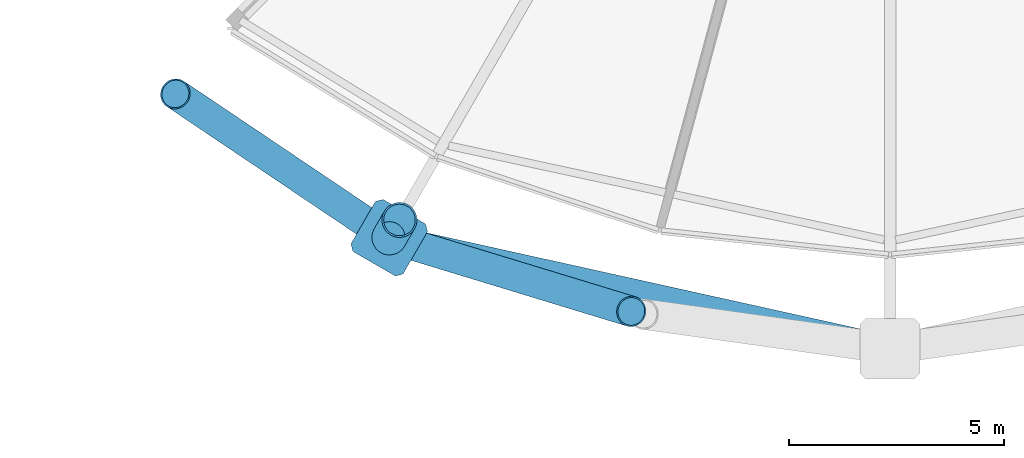
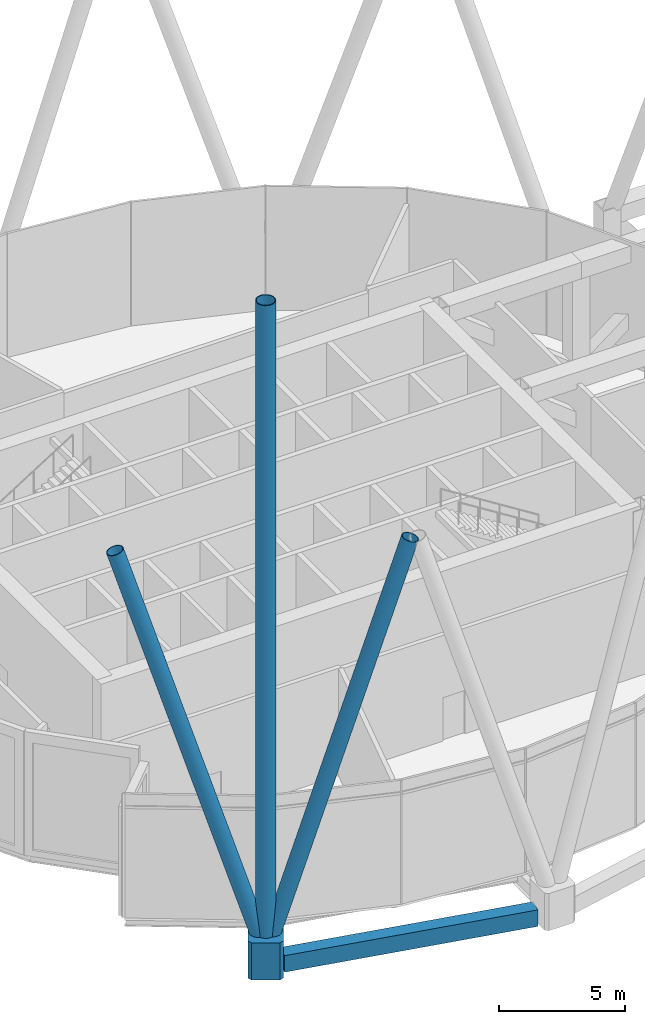
# One storey, part 3 of 39: 4 members, 1 beam.
"""IFC4 building model written with IfcOpenShell, lengths in metres."""

import ifcopenshell
import ifcopenshell.guid

model = None  # the IFC model being written
_history = None  # IfcOwnerHistory: only IFC2X3 demands one
_inside = {}  # id of a spatial element -> (the spatial element, [elements in it])
_under = {}  # id of a project, library or spatial element -> (it, [spatial elements below it])
_declared = {}  # id of a project -> (the project, [libraries it declares])
_typed = {}  # id of a type object -> (the type object, [elements of that type])
_made_of = {}  # id of a material, layer set ... -> (it, [elements and type objects made of it])


def new_model(schema):
    """Start an empty IFC model of exactly this schema.

    Asked for "IFC4X3", IfcOpenShell would pick the latest addendum, in which some entities
    have other attributes; the version numbers below select the first issue.
    IFC2X3 requires an IfcOwnerHistory on every rooted entity: one is made here for all.
    """
    global model, _history
    if schema == "IFC4X3":
        model = ifcopenshell.file(schema_version=(4, 3, 0, 0))
    else:
        model = ifcopenshell.file(schema=schema)
    _inside.clear()
    _under.clear()
    _declared.clear()
    _typed.clear()
    _made_of.clear()
    _history = None
    if model.schema == "IFC2X3":
        org = make("IfcOrganization", Name="unknown")
        user = make(
            "IfcPersonAndOrganization",
            ThePerson=make("IfcPerson", FamilyName="unknown"),
            TheOrganization=org,
        )
        app = make(
            "IfcApplication",
            ApplicationDeveloper=org,
            Version="unknown",
            ApplicationFullName="unknown",
            ApplicationIdentifier="unknown",
        )
        _history = make(
            "IfcOwnerHistory",
            OwningUser=user,
            OwningApplication=app,
            ChangeAction="ADDED",
            CreationDate=0,
        )
    return model


def make(cls, **values):
    """One entity of the class cls with the attributes given. An attribute that is None is left unset."""
    return model.create_entity(
        cls, **{name: value for name, value in values.items() if value is not None}
    )


def rooted(cls, **values):
    """An entity with a GlobalId (a new one), such as an element, a storey or a relation."""
    return make(cls, GlobalId=ifcopenshell.guid.new(), OwnerHistory=_history, **values)


def si_unit(unit_type, name, prefix=None):
    """IfcSIUnit, for example si_unit("LENGTHUNIT", "METRE", prefix="MILLI")."""
    return make("IfcSIUnit", UnitType=unit_type, Prefix=prefix, Name=name)


def assignment(units):
    """IfcUnitAssignment: the units of a project."""
    return None if units is None else make("IfcUnitAssignment", Units=units)


def point(xyz):
    """IfcCartesianPoint."""
    return None if xyz is None else make("IfcCartesianPoint", Coordinates=xyz)


def direction(xyz):
    """IfcDirection."""
    return None if xyz is None else make("IfcDirection", DirectionRatios=xyz)


def frame(location, z_axis=None, x_axis=None):
    """IfcAxis2Placement3D, a coordinate frame: its origin and axes. An axis left out is left unset."""
    return make(
        "IfcAxis2Placement3D",
        Location=point(location),
        Axis=direction(z_axis),
        RefDirection=direction(x_axis),
    )


def frame_2d(location, x_axis=None):
    """IfcAxis2Placement2D, a coordinate frame in the plane: its origin and x axis."""
    return make(
        "IfcAxis2Placement2D", Location=point(location), RefDirection=direction(x_axis)
    )


def origin():
    """The frame at (0, 0, 0) with its axes left unset."""
    return frame((0.0, 0.0, 0.0))


def origin_2d():
    """The frame at (0, 0) in the plane with its x axis left unset."""
    return frame_2d((0.0, 0.0))


def place(relative_to, where):
    """IfcLocalPlacement: puts the frame where relative to a parent placement (None: the world)."""
    return make(
        "IfcLocalPlacement", PlacementRelTo=relative_to, RelativePlacement=where
    )


def context(
    kind, dimensions, precision=None, world=None, true_north=None, identifier=None
):
    """IfcGeometricRepresentationContext, for example the 3D "Model" context."""
    return make(
        "IfcGeometricRepresentationContext",
        ContextIdentifier=identifier,
        ContextType=kind,
        CoordinateSpaceDimension=dimensions,
        Precision=precision,
        WorldCoordinateSystem=world,
        TrueNorth=true_north,
    )


def subcontext(parent, identifier, kind, view, scale=None):
    """IfcGeometricRepresentationSubContext, for example "Body" below "Model"."""
    return make(
        "IfcGeometricRepresentationSubContext",
        ContextIdentifier=identifier,
        ContextType=kind,
        ParentContext=parent,
        TargetScale=scale,
        TargetView=view,
    )


def project(units=None, contexts=None):
    """IfcProject with its units and contexts."""
    return rooted(
        "IfcProject",
        Name="project",
        RepresentationContexts=contexts,
        UnitsInContext=assignment(units),
    )


def spatial(cls, under=None, at=None, **own):
    """A site, building, storey or space (cls), placed at a placement, below another one or the project."""
    s = rooted(cls, ObjectPlacement=at, **own)
    if under is not None:
        _under.setdefault(under.id(), (under, []))[1].append(s)
    return s


def polyline(points):
    """IfcPolyline through the points."""
    return make("IfcPolyline", Points=[point(p) for p in points])


def profile(cls, at=None, kind="AREA", **sizes):
    """A parametric profile (cls). Its sizes go by their IFC names, for example OverallWidth=200.0."""
    return make(cls, ProfileType=kind, Position=at, **sizes)


def hollow_rectangle(**sizes):
    """IfcRectangleHollowProfileDef."""
    return profile("IfcRectangleHollowProfileDef", **sizes)


def hollow_circle(**sizes):
    """IfcCircleHollowProfileDef."""
    return profile("IfcCircleHollowProfileDef", **sizes)


def outline(outer, holes=None, kind="AREA"):
    """IfcArbitraryClosedProfileDef: a profile drawn as a closed curve; with holes, ...WithVoids."""
    if holes is None:
        return make("IfcArbitraryClosedProfileDef", ProfileType=kind, OuterCurve=outer)
    return make(
        "IfcArbitraryProfileDefWithVoids",
        ProfileType=kind,
        OuterCurve=outer,
        InnerCurves=holes,
    )


def extrude(swept, where, along, depth):
    """IfcExtrudedAreaSolid: the profile swept, set in the frame where, extruded along a direction by depth."""
    return make(
        "IfcExtrudedAreaSolid",
        SweptArea=swept,
        Position=where,
        ExtrudedDirection=direction(along),
        Depth=depth,
    )


def shape(context_of_items, identifier, shape_type, items):
    """IfcShapeRepresentation: the items that make up one representation, for example the "Body"."""
    return make(
        "IfcShapeRepresentation",
        ContextOfItems=context_of_items,
        RepresentationIdentifier=identifier,
        RepresentationType=shape_type,
        Items=items,
    )


def material(Name=None, Category=None):
    """IfcMaterial."""
    return make("IfcMaterial", Name=Name, Category=Category)


def material_profile(
    of_material, cross_section, Name=None, Category=None, Priority=None
):
    """IfcMaterialProfile: a cross section and its material."""
    return make(
        "IfcMaterialProfile",
        Name=Name,
        Material=of_material,
        Profile=cross_section,
        Priority=Priority,
        Category=Category,
    )


def profile_set(profiles, Name=None, composite=None):
    """IfcMaterialProfileSet."""
    return make(
        "IfcMaterialProfileSet",
        Name=Name,
        MaterialProfiles=profiles,
        CompositeProfile=composite,
    )


def made_of(thing, what):
    """Note that an element or type object is made of a material, layer set ...; save() writes the relation."""
    if what is not None:
        _made_of.setdefault(what.id(), (what, []))[1].append(thing)
    return thing


def type_object(cls, material=None, **own):
    """A type object (cls), such as IfcWallType, which elements share."""
    return made_of(rooted(cls, **own), material)


def element(
    cls,
    number,
    at=None,
    inside=None,
    cuts=None,
    type_object=None,
    material=None,
    context=None,
    identifier="Body",
    shape_type=None,
    held_by="IfcProductDefinitionShape",
    body=None,
    shapes=None,
    **own,
):
    """One element of the class cls, such as IfcWall. Its Tag is "e" and its number.

    at: its placement. inside: the storey or other place that contains it. cuts: it is an
    opening in that element (IfcRelVoidsElement). A single representation is given by context,
    identifier, shape_type and body (its items); several are given by shapes. held_by: the class
    of the entity that holds the representations. save() writes the other relations.
    """
    e = rooted(cls, Tag="e%d" % number, ObjectPlacement=at, **own)
    if body is not None:
        shapes = [shape(context, identifier, shape_type, body)]
    if shapes is not None:
        e.Representation = make(held_by, Representations=shapes)
    if inside is not None:
        _inside.setdefault(inside.id(), (inside, []))[1].append(e)
    if cuts is not None:
        rooted(
            "IfcRelVoidsElement", RelatingBuildingElement=cuts, RelatedOpeningElement=e
        )
    if type_object is not None:
        _typed.setdefault(type_object.id(), (type_object, []))[1].append(e)
    return made_of(e, material)


def aggregate(whole, parts):
    """IfcRelAggregates: a whole, such as a stair, and the parts it consists of."""
    return rooted("IfcRelAggregates", RelatingObject=whole, RelatedObjects=parts)


def save(model, path):
    """Write the relations noted so far, then the file.

    IfcRelAggregates (storeys below a building ...), IfcRelContainedInSpatialStructure (elements
    in a storey), IfcRelDefinesByType, IfcRelAssociatesMaterial and IfcRelDeclares: one each for
    every whole, place, type object, material and project.
    """
    for whole, parts in _under.values():
        aggregate(whole, parts)
    for where, things in _inside.values():
        rooted(
            "IfcRelContainedInSpatialStructure",
            RelatedElements=things,
            RelatingStructure=where,
        )
    for kind, things in _typed.values():
        rooted("IfcRelDefinesByType", RelatedObjects=things, RelatingType=kind)
    for what, things in _made_of.values():
        rooted("IfcRelAssociatesMaterial", RelatedObjects=things, RelatingMaterial=what)
    for by, libraries in _declared.values():
        rooted("IfcRelDeclares", RelatingContext=by, RelatedDefinitions=libraries)
    model.write(path)


model = new_model("IFC4")

# Units and contexts
model_context = context("Model", 3, precision=1e-05, world=origin(), true_north=direction((0.0, 1.0)))
body_context = subcontext(model_context, "Body", "Model", "MODEL_VIEW")
ifc_project = project(units=[si_unit("LENGTHUNIT", "METRE"), si_unit("AREAUNIT", "SQUARE_METRE"), si_unit("VOLUMEUNIT", "CUBIC_METRE"), si_unit("PLANEANGLEUNIT", "RADIAN"), si_unit("MASSUNIT", "GRAM", prefix="KILO")], contexts=[model_context])

# Site, building, storey
site_placement = place(None, origin())
site = spatial("IfcSite", under=ifc_project, at=site_placement, CompositionType="ELEMENT")
building_placement = place(site_placement, origin())
building = spatial("IfcBuilding", under=site, at=building_placement, Name="Rimbun Link Towers", CompositionType="ELEMENT")
storey_placement = place(building_placement, frame((0.0, 0.0, 127.199951171875)))
storey = spatial("IfcBuildingStorey", under=building, at=storey_placement, Name="L31", CompositionType="ELEMENT", Elevation=127.199951171875)

# Members
ifc_material_1 = material(Name="Steel S460NH", Category="steel")
ifc_material_profile_1 = material_profile(ifc_material_1, hollow_circle(Radius=0.355712890625, WallThickness=0.031982421875, at=origin_2d()), Name="Diagrid diagonal CHS 711x32")
ifc_profile_set_1 = profile_set([ifc_material_profile_1], Name="Steel S460NH")
member_type_1 = type_object("IfcMemberType", Name="Diagrid diagonal CHS 711x32", PredefinedType="BRACE", material=ifc_profile_set_1)
member_1_placement = place(storey_placement, frame((-43.521484375, -20.090576171875, 0.47705078125), z_axis=(-0.248182089302, 0.166933190453, 0.954221651649), x_axis=(-0.55811760718, -0.829761855327, 0.0)))
element("IfcMember", 1, at=member_1_placement, inside=storey, type_object=member_type_1, Name="Diagrid diagonal T1 L31-L35 16a", PredefinedType="BRACE", context=body_context, shape_type="SweptSolid", body=[
    extrude(hollow_circle(Radius=0.355712890625, WallThickness=0.031982421875, at=origin_2d()), origin(), (0.0, 0.0, 1.0), 19.54052734375),
])
member_2_placement = place(storey_placement, frame((-43.2568359375, -20.216796875, 0.47802734375), z_axis=(0.281420804771, -0.085705313131, 0.955749407503), x_axis=(0.291334285464, 0.95662131176, 0.0)))
element("IfcMember", 2, at=member_2_placement, inside=storey, type_object=member_type_1, Name="Diagrid diagonal T1 L31-L35 16b", PredefinedType="BRACE", context=body_context, shape_type="SweptSolid", body=[
    extrude(hollow_circle(Radius=0.355712890625, WallThickness=0.031982421875, at=origin_2d()), origin(), (0.0, 0.0, 1.0), 19.50732421875),
])
ifc_material_2 = material(Name="Cast steel G20Mn5+QT, Rp0.2 300 MPa", Category="steel")
ifc_material_profile_2 = material_profile(ifc_material_2, outline(polyline([(0.699951171875, -0.570068359375), (0.699951171875, 0.570068359375), (0.570068359375, 0.699951171875), (-0.570068359375, 0.699951171875), (-0.699951171875, 0.570068359375), (-0.699951171875, -0.570068359375), (-0.570068359375, -0.699951171875), (0.570068359375, -0.699951171875), (0.699951171875, -0.570068359375)])), Name="NODE 1400x1400")
ifc_profile_set_2 = profile_set([ifc_material_profile_2], Name="Cast steel G20Mn5+QT, Rp0.2 300 MPa")
member_type_2 = type_object("IfcMemberType", Name="Diagrid node cast 1400", PredefinedType="USERDEFINED", material=ifc_profile_set_2)
member_3_placement = place(storey_placement, frame((-43.3974609375, -20.174072265625, -0.89990234375), z_axis=(0.0, 0.0, 1.0), x_axis=(-0.5, -0.866025403784, 0.0)))
element("IfcMember", 3, at=member_3_placement, inside=storey, type_object=member_type_2, Name="Diagrid node L31 16", ObjectType="Diagrid node", PredefinedType="USERDEFINED", context=body_context, shape_type="SweptSolid", body=[
    extrude(outline(polyline([(0.699951171875, -0.570068359375), (0.699951171875, 0.570068359375), (0.570068359375, 0.699951171875), (-0.570068359375, 0.699951171875), (-0.699951171875, 0.570068359375), (-0.699951171875, -0.570068359375), (-0.570068359375, -0.699951171875), (0.570068359375, -0.699951171875), (0.699951171875, -0.570068359375)])), origin(), (0.0, 0.0, 1.0), 1.800048828125),
])

# Beam
ifc_material_3 = material(Name="Steel S355J2", Category="steel")
ifc_material_profile_3 = material_profile(ifc_material_3, hollow_rectangle(XDim=0.60009765625, YDim=0.800048828125, WallThickness=0.0400390625, at=origin_2d()), Name="Exoskeleton ring girder BOX 600x800x40")
ifc_profile_set_3 = profile_set([ifc_material_profile_3], Name="Steel S355J2")
beam_type = type_object("IfcBeamType", Name="Exoskeleton ring girder BOX 600x800x40", PredefinedType="BEAM", material=ifc_profile_set_3)
beam_placement = place(storey_placement, frame((-42.714111328125, -20.325439453125, -0.56005859375), z_axis=(0.97632325002, -0.216316692536, 0.0), x_axis=(0.216316692536, 0.97632325002, 0.0)))
element("IfcBeam", 4, at=beam_placement, inside=storey, type_object=beam_type, Name="Exoskeleton ring girder L31 06", PredefinedType="BEAM", context=body_context, shape_type="SweptSolid", body=[
    extrude(hollow_rectangle(XDim=0.60009765625, YDim=0.800048828125, WallThickness=0.0400390625, at=origin_2d()), origin(), (0.0, 0.0, 1.0), 10.530029296875),
])

# Member
ifc_material_4 = material(Name="Steel S460NH", Category="steel")
ifc_material_profile_4 = material_profile(ifc_material_4, hollow_circle(Radius=0.406494140625, WallThickness=0.0400390625, at=origin_2d()), Name="Slot edge CHS 813x40")
ifc_profile_set_4 = profile_set([ifc_material_profile_4], Name="Steel S460NH")
member_type_3 = type_object("IfcMemberType", Name="Slot edge CHS 813x40", PredefinedType="BRACE", material=ifc_profile_set_4)
member_4_placement = place(storey_placement, frame((-43.393798828125, -20.16748046875, 0.5), z_axis=(0.00764932595, 0.013247169473, 0.999882993311), x_axis=(-0.865995139556, 0.500052415518, 0.0)))
element("IfcMember", 5, at=member_4_placement, inside=storey, type_object=member_type_3, Name="Slot edge T1 L31-L38 16", PredefinedType="BRACE", context=body_context, shape_type="SweptSolid", body=[
    extrude(hollow_circle(Radius=0.406494140625, WallThickness=0.0400390625, at=origin_2d()), origin(), (0.0, 0.0, 1.0), 30.703857421875),
])

save(model, "model.ifc")
